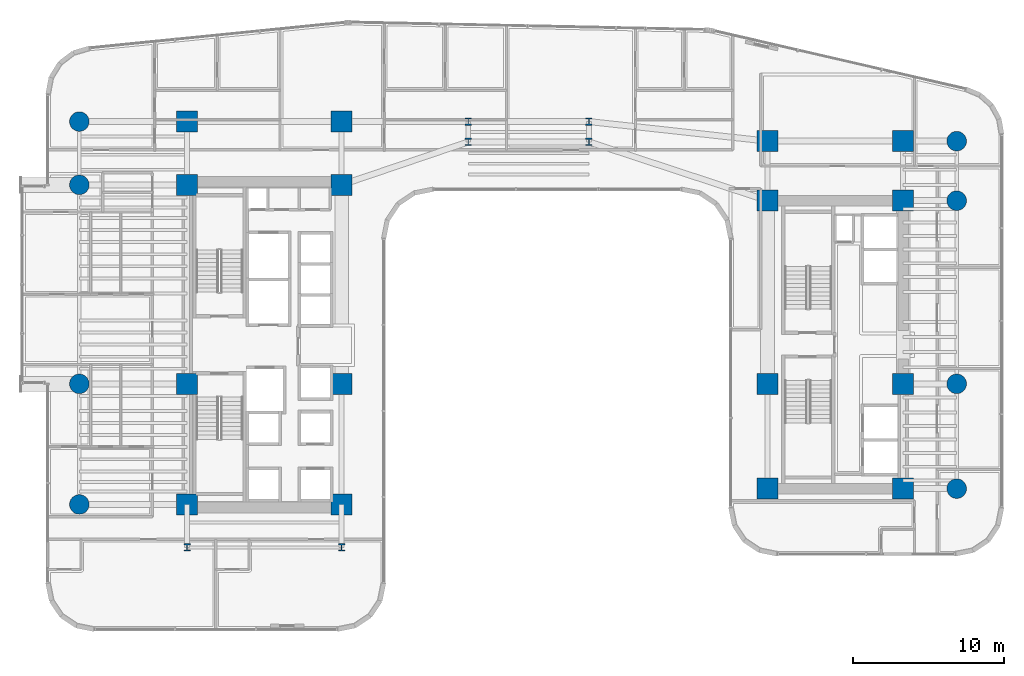
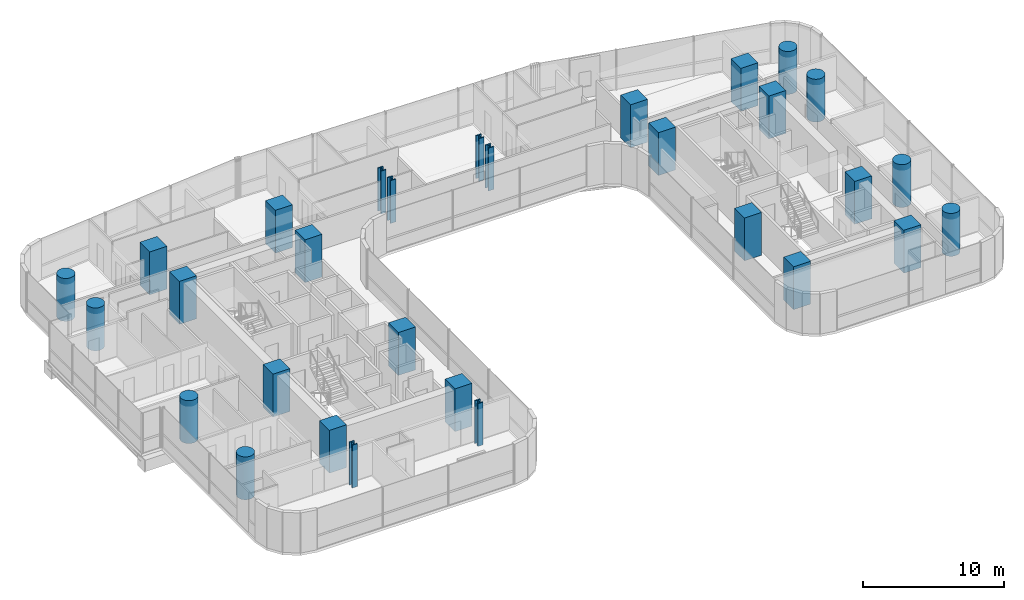
# One storey, part 1 of 40: 30 columns.
"""IFC4 building model written with IfcOpenShell, lengths in metres."""

import ifcopenshell
import ifcopenshell.guid

model = None  # the IFC model being written
_history = None  # IfcOwnerHistory: only IFC2X3 demands one
_inside = {}  # id of a spatial element -> (the spatial element, [elements in it])
_under = {}  # id of a project, library or spatial element -> (it, [spatial elements below it])
_declared = {}  # id of a project -> (the project, [libraries it declares])
_typed = {}  # id of a type object -> (the type object, [elements of that type])
_made_of = {}  # id of a material, layer set ... -> (it, [elements and type objects made of it])


def new_model(schema):
    """Start an empty IFC model of exactly this schema.

    Asked for "IFC4X3", IfcOpenShell would pick the latest addendum, in which some entities
    have other attributes; the version numbers below select the first issue.
    IFC2X3 requires an IfcOwnerHistory on every rooted entity: one is made here for all.
    """
    global model, _history
    if schema == "IFC4X3":
        model = ifcopenshell.file(schema_version=(4, 3, 0, 0))
    else:
        model = ifcopenshell.file(schema=schema)
    _inside.clear()
    _under.clear()
    _declared.clear()
    _typed.clear()
    _made_of.clear()
    _history = None
    if model.schema == "IFC2X3":
        org = make("IfcOrganization", Name="unknown")
        user = make(
            "IfcPersonAndOrganization",
            ThePerson=make("IfcPerson", FamilyName="unknown"),
            TheOrganization=org,
        )
        app = make(
            "IfcApplication",
            ApplicationDeveloper=org,
            Version="unknown",
            ApplicationFullName="unknown",
            ApplicationIdentifier="unknown",
        )
        _history = make(
            "IfcOwnerHistory",
            OwningUser=user,
            OwningApplication=app,
            ChangeAction="ADDED",
            CreationDate=0,
        )
    return model


def make(cls, **values):
    """One entity of the class cls with the attributes given. An attribute that is None is left unset."""
    return model.create_entity(
        cls, **{name: value for name, value in values.items() if value is not None}
    )


def rooted(cls, **values):
    """An entity with a GlobalId (a new one), such as an element, a storey or a relation."""
    return make(cls, GlobalId=ifcopenshell.guid.new(), OwnerHistory=_history, **values)


def si_unit(unit_type, name, prefix=None):
    """IfcSIUnit, for example si_unit("LENGTHUNIT", "METRE", prefix="MILLI")."""
    return make("IfcSIUnit", UnitType=unit_type, Prefix=prefix, Name=name)


def assignment(units):
    """IfcUnitAssignment: the units of a project."""
    return None if units is None else make("IfcUnitAssignment", Units=units)


def point(xyz):
    """IfcCartesianPoint."""
    return None if xyz is None else make("IfcCartesianPoint", Coordinates=xyz)


def direction(xyz):
    """IfcDirection."""
    return None if xyz is None else make("IfcDirection", DirectionRatios=xyz)


def frame(location, z_axis=None, x_axis=None):
    """IfcAxis2Placement3D, a coordinate frame: its origin and axes. An axis left out is left unset."""
    return make(
        "IfcAxis2Placement3D",
        Location=point(location),
        Axis=direction(z_axis),
        RefDirection=direction(x_axis),
    )


def frame_2d(location, x_axis=None):
    """IfcAxis2Placement2D, a coordinate frame in the plane: its origin and x axis."""
    return make(
        "IfcAxis2Placement2D", Location=point(location), RefDirection=direction(x_axis)
    )


def origin():
    """The frame at (0, 0, 0) with its axes left unset."""
    return frame((0.0, 0.0, 0.0))


def origin_2d():
    """The frame at (0, 0) in the plane with its x axis left unset."""
    return frame_2d((0.0, 0.0))


def place(relative_to, where):
    """IfcLocalPlacement: puts the frame where relative to a parent placement (None: the world)."""
    return make(
        "IfcLocalPlacement", PlacementRelTo=relative_to, RelativePlacement=where
    )


def context(
    kind, dimensions, precision=None, world=None, true_north=None, identifier=None
):
    """IfcGeometricRepresentationContext, for example the 3D "Model" context."""
    return make(
        "IfcGeometricRepresentationContext",
        ContextIdentifier=identifier,
        ContextType=kind,
        CoordinateSpaceDimension=dimensions,
        Precision=precision,
        WorldCoordinateSystem=world,
        TrueNorth=true_north,
    )


def subcontext(parent, identifier, kind, view, scale=None):
    """IfcGeometricRepresentationSubContext, for example "Body" below "Model"."""
    return make(
        "IfcGeometricRepresentationSubContext",
        ContextIdentifier=identifier,
        ContextType=kind,
        ParentContext=parent,
        TargetScale=scale,
        TargetView=view,
    )


def project(units=None, contexts=None):
    """IfcProject with its units and contexts."""
    return rooted(
        "IfcProject",
        Name="project",
        RepresentationContexts=contexts,
        UnitsInContext=assignment(units),
    )


def spatial(cls, under=None, at=None, **own):
    """A site, building, storey or space (cls), placed at a placement, below another one or the project."""
    s = rooted(cls, ObjectPlacement=at, **own)
    if under is not None:
        _under.setdefault(under.id(), (under, []))[1].append(s)
    return s


def profile(cls, at=None, kind="AREA", **sizes):
    """A parametric profile (cls). Its sizes go by their IFC names, for example OverallWidth=200.0."""
    return make(cls, ProfileType=kind, Position=at, **sizes)


def rectangle(**sizes):
    """IfcRectangleProfileDef."""
    return profile("IfcRectangleProfileDef", **sizes)


def circle(**sizes):
    """IfcCircleProfileDef."""
    return profile("IfcCircleProfileDef", **sizes)


def i_section(**sizes):
    """IfcIShapeProfileDef."""
    return profile("IfcIShapeProfileDef", **sizes)


def extrude(swept, where, along, depth):
    """IfcExtrudedAreaSolid: the profile swept, set in the frame where, extruded along a direction by depth."""
    return make(
        "IfcExtrudedAreaSolid",
        SweptArea=swept,
        Position=where,
        ExtrudedDirection=direction(along),
        Depth=depth,
    )


def shape(context_of_items, identifier, shape_type, items):
    """IfcShapeRepresentation: the items that make up one representation, for example the "Body"."""
    return make(
        "IfcShapeRepresentation",
        ContextOfItems=context_of_items,
        RepresentationIdentifier=identifier,
        RepresentationType=shape_type,
        Items=items,
    )


def source(mapping_origin, context_of_items, identifier, shape_type, items):
    """IfcRepresentationMap: a shape defined once, which mapped items show again and again."""
    return make(
        "IfcRepresentationMap",
        MappingOrigin=mapping_origin,
        MappedRepresentation=shape(context_of_items, identifier, shape_type, items),
    )


def transform(
    local_origin,
    x_axis=None,
    y_axis=None,
    z_axis=None,
    scale=None,
    scale2=None,
    scale3=None,
    uniform=True,
):
    """IfcCartesianTransformationOperator3D, or its non-uniform kind. x_axis, y_axis, z_axis: its Axis1, 2, 3."""
    if uniform:
        return make(
            "IfcCartesianTransformationOperator3D",
            Axis1=direction(x_axis),
            Axis2=direction(y_axis),
            LocalOrigin=point(local_origin),
            Scale=scale,
            Axis3=direction(z_axis),
        )
    return make(
        "IfcCartesianTransformationOperator3DnonUniform",
        Axis1=direction(x_axis),
        Axis2=direction(y_axis),
        LocalOrigin=point(local_origin),
        Scale=scale,
        Axis3=direction(z_axis),
        Scale2=scale2,
        Scale3=scale3,
    )


def mapped(mapping_source, mapping_target):
    """IfcMappedItem: shows the shape of a source again, moved by a transform."""
    return make(
        "IfcMappedItem", MappingSource=mapping_source, MappingTarget=mapping_target
    )


def material(Name=None, Category=None):
    """IfcMaterial."""
    return make("IfcMaterial", Name=Name, Category=Category)


def material_profile(
    of_material, cross_section, Name=None, Category=None, Priority=None
):
    """IfcMaterialProfile: a cross section and its material."""
    return make(
        "IfcMaterialProfile",
        Name=Name,
        Material=of_material,
        Profile=cross_section,
        Priority=Priority,
        Category=Category,
    )


def profile_set(profiles, Name=None, composite=None):
    """IfcMaterialProfileSet."""
    return make(
        "IfcMaterialProfileSet",
        Name=Name,
        MaterialProfiles=profiles,
        CompositeProfile=composite,
    )


def made_of(thing, what):
    """Note that an element or type object is made of a material, layer set ...; save() writes the relation."""
    if what is not None:
        _made_of.setdefault(what.id(), (what, []))[1].append(thing)
    return thing


def type_object(cls, material=None, **own):
    """A type object (cls), such as IfcWallType, which elements share."""
    return made_of(rooted(cls, **own), material)


def element(
    cls,
    number,
    at=None,
    inside=None,
    cuts=None,
    type_object=None,
    material=None,
    context=None,
    identifier="Body",
    shape_type=None,
    held_by="IfcProductDefinitionShape",
    body=None,
    shapes=None,
    **own,
):
    """One element of the class cls, such as IfcWall. Its Tag is "e" and its number.

    at: its placement. inside: the storey or other place that contains it. cuts: it is an
    opening in that element (IfcRelVoidsElement). A single representation is given by context,
    identifier, shape_type and body (its items); several are given by shapes. held_by: the class
    of the entity that holds the representations. save() writes the other relations.
    """
    e = rooted(cls, Tag="e%d" % number, ObjectPlacement=at, **own)
    if body is not None:
        shapes = [shape(context, identifier, shape_type, body)]
    if shapes is not None:
        e.Representation = make(held_by, Representations=shapes)
    if inside is not None:
        _inside.setdefault(inside.id(), (inside, []))[1].append(e)
    if cuts is not None:
        rooted(
            "IfcRelVoidsElement", RelatingBuildingElement=cuts, RelatedOpeningElement=e
        )
    if type_object is not None:
        _typed.setdefault(type_object.id(), (type_object, []))[1].append(e)
    return made_of(e, material)


def aggregate(whole, parts):
    """IfcRelAggregates: a whole, such as a stair, and the parts it consists of."""
    return rooted("IfcRelAggregates", RelatingObject=whole, RelatedObjects=parts)


def save(model, path):
    """Write the relations noted so far, then the file.

    IfcRelAggregates (storeys below a building ...), IfcRelContainedInSpatialStructure (elements
    in a storey), IfcRelDefinesByType, IfcRelAssociatesMaterial and IfcRelDeclares: one each for
    every whole, place, type object, material and project.
    """
    for whole, parts in _under.values():
        aggregate(whole, parts)
    for where, things in _inside.values():
        rooted(
            "IfcRelContainedInSpatialStructure",
            RelatedElements=things,
            RelatingStructure=where,
        )
    for kind, things in _typed.values():
        rooted("IfcRelDefinesByType", RelatedObjects=things, RelatingType=kind)
    for what, things in _made_of.values():
        rooted("IfcRelAssociatesMaterial", RelatedObjects=things, RelatingMaterial=what)
    for by, libraries in _declared.values():
        rooted("IfcRelDeclares", RelatingContext=by, RelatedDefinitions=libraries)
    model.write(path)


model = new_model("IFC4")

# Units and contexts
model_context = context("Model", 3, precision=1e-05, world=origin(), true_north=direction((0.0, 1.0)))
body_context = subcontext(model_context, "Body", "Model", "MODEL_VIEW")
ifc_project = project(units=[si_unit("LENGTHUNIT", "METRE"), si_unit("AREAUNIT", "SQUARE_METRE"), si_unit("VOLUMEUNIT", "CUBIC_METRE"), si_unit("PLANEANGLEUNIT", "RADIAN"), si_unit("MASSUNIT", "GRAM", prefix="KILO")], contexts=[model_context])

# Site, building, storey
site_placement = place(None, origin())
site = spatial("IfcSite", under=ifc_project, at=site_placement, CompositionType="ELEMENT")
building_placement = place(site_placement, origin())
building = spatial("IfcBuilding", under=site, at=building_placement, Name="Valdorenza Pilgrim Sanctuary Tower", CompositionType="ELEMENT")
storey_placement = place(building_placement, frame((0.0, 0.0, 40.800048828125)))
storey = spatial("IfcBuildingStorey", under=building, at=storey_placement, Name="L09", CompositionType="ELEMENT", Elevation=40.800048828125)

# Columns
ifc_material_1 = material(Name="Concrete C60/75", Category="concrete")
ifc_material_profile_1 = material_profile(ifc_material_1, circle(Radius=0.64990234375, at=origin_2d()), Name="RC D1300")
ifc_profile_set_1 = profile_set([ifc_material_profile_1], Name="Concrete C60/75")
column_type_1 = type_object("IfcColumnType", Name="COL-RND-1300", PredefinedType="COLUMN", material=ifc_profile_set_1)
shared_shape_1 = source(origin(), body_context, "Body", "SweptSolid", [
    extrude(circle(Radius=0.64990234375, at=origin_2d()), origin(), (0.0, 0.0, 1.0), 3.699951171875),
])
for number, where, z_axis, x_axis, name in (
    (1, (-29.800048828125, -10.60009765625, 0.0), (0.0, 0.0, 1.0), (1.0, 0.0, 0.0), "L09 Perimeter Column WA-W-S1"),
    (2, (-29.800048828125, -2.60009765625, 0.0), (0.0, 0.0, 1.0), (1.0, 0.0, 0.0), "L09 Perimeter Column WA-W-M0"),
    (3, (-29.800048828125, 10.60009765625, 0.0), (0.0, 0.0, 1.0), (1.0, 0.0, 0.0), "L09 Perimeter Column WA-W-N1"),
    (4, (-29.800048828125, 14.800048828125, 0.0), (0.0, 0.0, 1.0), (1.0, 0.0, 0.0), "L09 Perimeter Column WA-W-N2"),
    (5, (28.39990234375, -9.550048828125, 0.0), (0.0, 0.0, 1.0), (1.0, 0.0, 0.0), "L09 Perimeter Column WB-E-S1"),
    (6, (28.39990234375, -2.60009765625, 0.0), (0.0, 0.0, 1.0), (1.0, 0.0, 0.0), "L09 Perimeter Column WB-E-M0"),
    (7, (28.39990234375, 9.550048828125, 0.0), (0.0, 0.0, 1.0), (1.0, 0.0, 0.0), "L09 Perimeter Column WB-E-N1"),
    (8, (28.39990234375, 13.5, 0.0), (0.0, 0.0, 1.0), (1.0, 0.0, 0.0), "L09 Perimeter Column WB-E-N2"),
):
    element("IfcColumn", number, at=place(storey_placement, frame(where, z_axis=z_axis, x_axis=x_axis)), inside=storey, type_object=column_type_1, Name=name, PredefinedType="COLUMN", context=body_context, shape_type="MappedRepresentation", body=[
        mapped(shared_shape_1, transform((0.0, 0.0, 0.0), x_axis=(1.0, 0.0, 0.0), y_axis=(0.0, 1.0, 0.0), z_axis=(0.0, 0.0, 1.0), scale=1.0)),
    ])
ifc_material_profile_2 = material_profile(ifc_material_1, rectangle(XDim=1.39990234375, YDim=1.39990234375, at=origin_2d()), Name="RC 1400x1400")
ifc_profile_set_2 = profile_set([ifc_material_profile_2], Name="Concrete C60/75")
column_type_2 = type_object("IfcColumnType", Name="COL-Z1-1400", PredefinedType="COLUMN", material=ifc_profile_set_2)
shared_shape_2 = source(origin(), body_context, "Body", "SweptSolid", [
    extrude(rectangle(XDim=1.39990234375, YDim=1.39990234375, at=origin_2d()), origin(), (0.0, 0.0, 1.0), 3.699951171875),
])
for number, where, z_axis, x_axis, name in (
    (9, (-22.64990234375, -10.60009765625, 0.0), (0.0, 0.0, 1.0), (1.0, 0.0, 0.0), "L09 Column CA-W-S1"),
    (10, (-12.39990234375, -10.60009765625, 0.0), (0.0, 0.0, 1.0), (1.0, 0.0, 0.0), "L09 Column CA-E-S1"),
    (11, (-22.64990234375, -2.60009765625, 0.0), (0.0, 0.0, 1.0), (1.0, 0.0, 0.0), "L09 Column CA-W-M0"),
    (12, (-12.39990234375, -2.60009765625, 0.0), (0.0, 0.0, 1.0), (1.0, 0.0, 0.0), "L09 Column CA-E-M0"),
    (13, (-22.64990234375, 10.60009765625, 0.0), (0.0, 0.0, 1.0), (1.0, 0.0, 0.0), "L09 Column CA-W-N1"),
    (14, (-12.39990234375, 10.60009765625, 0.0), (0.0, 0.0, 1.0), (1.0, 0.0, 0.0), "L09 Column CA-E-N1"),
    (15, (-22.64990234375, 14.800048828125, 0.0), (0.0, 0.0, 1.0), (1.0, 0.0, 0.0), "L09 Column CA-W-N2"),
    (16, (-12.39990234375, 14.800048828125, 0.0), (0.0, 0.0, 1.0), (1.0, 0.0, 0.0), "L09 Column CA-E-N2"),
    (17, (15.85009765625, -9.550048828125, 0.0), (0.0, 0.0, 1.0), (1.0, 0.0, 0.0), "L09 Column CB-W-S1"),
    (18, (24.85009765625, -9.550048828125, 0.0), (0.0, 0.0, 1.0), (1.0, 0.0, 0.0), "L09 Column CB-E-S1"),
    (19, (15.85009765625, -2.60009765625, 0.0), (0.0, 0.0, 1.0), (1.0, 0.0, 0.0), "L09 Column CB-W-M0"),
    (20, (24.85009765625, -2.60009765625, 0.0), (0.0, 0.0, 1.0), (1.0, 0.0, 0.0), "L09 Column CB-E-M0"),
    (21, (15.85009765625, 9.550048828125, 0.0), (0.0, 0.0, 1.0), (1.0, 0.0, 0.0), "L09 Column CB-W-N1"),
    (22, (24.85009765625, 9.550048828125, 0.0), (0.0, 0.0, 1.0), (1.0, 0.0, 0.0), "L09 Column CB-E-N1"),
    (23, (15.85009765625, 13.5, 0.0), (0.0, 0.0, 1.0), (1.0, 0.0, 0.0), "L09 Column CB-W-N2"),
    (24, (24.85009765625, 13.5, 0.0), (0.0, 0.0, 1.0), (1.0, 0.0, 0.0), "L09 Column CB-E-N2"),
):
    element("IfcColumn", number, at=place(storey_placement, frame(where, z_axis=z_axis, x_axis=x_axis)), inside=storey, type_object=column_type_2, Name=name, PredefinedType="COLUMN", context=body_context, shape_type="MappedRepresentation", body=[
        mapped(shared_shape_2, transform((0.0, 0.0, 0.0), x_axis=(1.0, 0.0, 0.0), y_axis=(0.0, 1.0, 0.0), z_axis=(0.0, 0.0, 1.0), scale=1.0)),
    ])
ifc_material_2 = material(Name="Steel ASTM A992 Grade 50", Category="steel")
ifc_material_profile_3 = material_profile(ifc_material_2, i_section(OverallWidth=0.431884765625, OverallDepth=0.498046875, WebThickness=0.0556640625, FlangeThickness=0.0888671875, at=origin_2d()), Name="W14X500")
ifc_profile_set_3 = profile_set([ifc_material_profile_3], Name="Steel ASTM A992 Grade 50")
column_type_3 = type_object("IfcColumnType", Name="COL-STL-W500", PredefinedType="COLUMN", material=ifc_profile_set_3)
shared_shape_3 = source(origin(), body_context, "Body", "SweptSolid", [
    extrude(i_section(OverallWidth=0.431884765625, OverallDepth=0.498046875, WebThickness=0.0556640625, FlangeThickness=0.0888671875, at=origin_2d()), origin(), (0.0, 0.0, 1.0), 3.699951171875),
])
for number, where, z_axis, x_axis, name in (
    (25, (-22.64990234375, -13.449951171875, 0.0), (0.0, 0.0, 1.0), (1.0, 0.0, 0.0), "L09 Column WA-S-W"),
    (26, (-12.39990234375, -13.449951171875, 0.0), (0.0, 0.0, 1.0), (1.0, 0.0, 0.0), "L09 Column WA-S-E"),
    (27, (-4.0, 13.449951171875, 0.0), (0.0, 0.0, 1.0), (1.0, 0.0, 0.0), "L09 Column KNK-W1"),
    (28, (-4.0, 14.800048828125, 0.0), (0.0, 0.0, 1.0), (1.0, 0.0, 0.0), "L09 Column KNK-W2"),
    (29, (4.0, 13.449951171875, 0.0), (0.0, 0.0, 1.0), (1.0, 0.0, 0.0), "L09 Column KNK-E1"),
    (30, (4.0, 14.800048828125, 0.0), (0.0, 0.0, 1.0), (1.0, 0.0, 0.0), "L09 Column KNK-E2"),
):
    element("IfcColumn", number, at=place(storey_placement, frame(where, z_axis=z_axis, x_axis=x_axis)), inside=storey, type_object=column_type_3, Name=name, PredefinedType="COLUMN", context=body_context, shape_type="MappedRepresentation", body=[
        mapped(shared_shape_3, transform((0.0, 0.0, 0.0), x_axis=(1.0, 0.0, 0.0), y_axis=(0.0, 1.0, 0.0), z_axis=(0.0, 0.0, 1.0), scale=1.0)),
    ])

save(model, "model.ifc")
